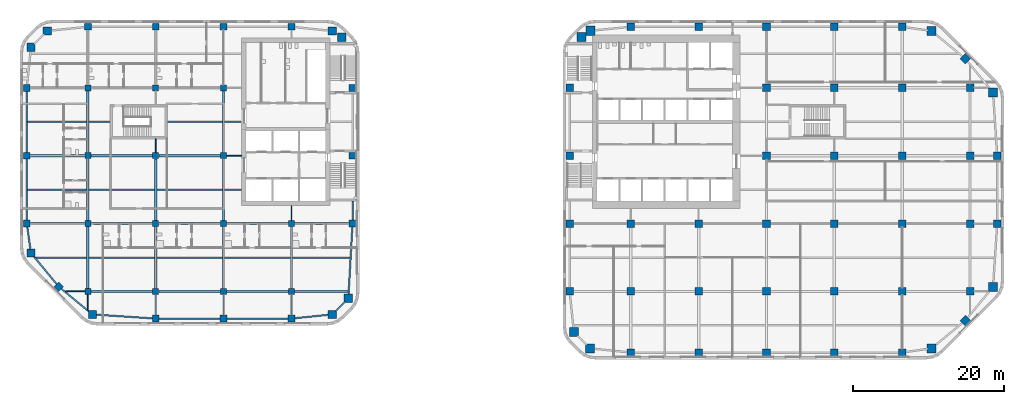
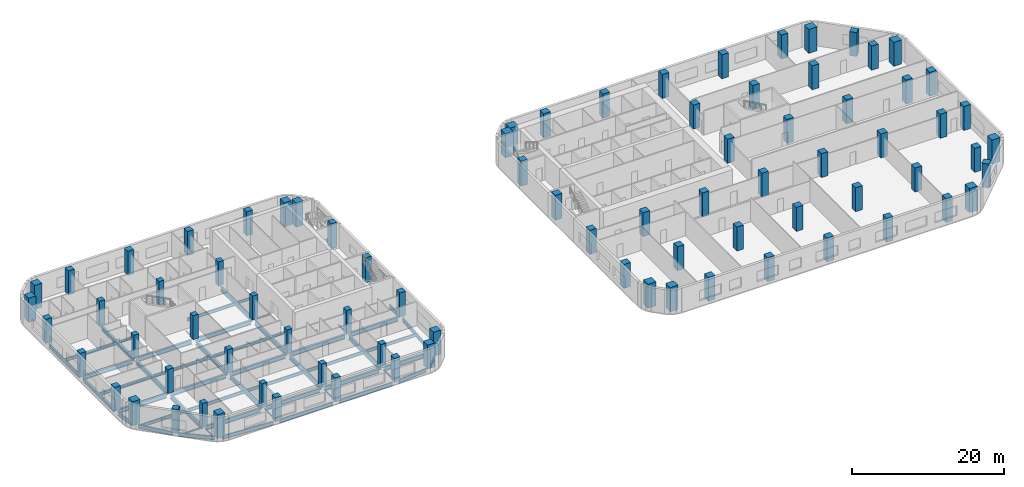
# One storey, part 1 of 16: 82 columns, 54 beams.
"""IFC4 building model written with IfcOpenShell, lengths in metres."""

from ifc_helpers import new_model, si_unit, direction, frame, origin, origin_2d, place, context, subcontext, project, spatial, rectangle, i_section, extrude, material, material_profile, profile_set, type_object, element, save


model = new_model("IFC4")

# Units and contexts
model_context = context("Model", 3, precision=1e-05, world=origin(), true_north=direction((0.0, 1.0)))
body_context = subcontext(model_context, "Body", "Model", "MODEL_VIEW")
ifc_project = project(units=[si_unit("LENGTHUNIT", "METRE"), si_unit("AREAUNIT", "SQUARE_METRE"), si_unit("VOLUMEUNIT", "CUBIC_METRE"), si_unit("PLANEANGLEUNIT", "RADIAN"), si_unit("MASSUNIT", "GRAM", prefix="KILO")], contexts=[model_context])

# Site, building, storey
site_placement = place(None, origin())
site = spatial("IfcSite", under=ifc_project, at=site_placement, CompositionType="ELEMENT")
building_placement = place(site_placement, origin())
building = spatial("IfcBuilding", under=site, at=building_placement, Name="Cinnabar Reach Civic Tower", CompositionType="ELEMENT")
storey_placement = place(building_placement, frame((0.0, 0.0, 30.0)))
storey = spatial("IfcBuildingStorey", under=building, at=storey_placement, Name="L06", CompositionType="ELEMENT", Elevation=30.0)

# Columns
ifc_material_1 = material(Name="Concrete C70", Category="concrete")
ifc_material_profile_1 = material_profile(ifc_material_1, rectangle(XDim=1.0, YDim=1.0, at=origin_2d()), Name="RC1000")
ifc_profile_set_1 = profile_set([ifc_material_profile_1], Name="Concrete C70")
column_type_1 = type_object("IfcColumnType", Name="RC1000 column R 240", PredefinedType="COLUMN", material=ifc_profile_set_1)
for number, where, z_axis, x_axis, name in (
    (1, (9.0, 0.9, 0.0), (0.0, 0.0, 1.0), (1.0, 0.0, 0.0), "Column T1-Z1-F0-1"),
    (2, (18.0, 0.9, 0.0), (0.0, 0.0, 1.0), (1.0, 0.0, 0.0), "Column T1-Z1-F0-2"),
    (3, (27.0, 0.9, 0.0), (0.0, 0.0, 1.0), (1.0, 0.0, 0.0), "Column T1-Z1-F0-3"),
    (4, (36.0, 0.9, 0.0), (0.0, 0.0, 1.0), (1.0, 0.0, 0.0), "Column T1-Z1-F0-4"),
    (5, (45.0, 0.9, 0.0), (0.0, 0.0, 1.0), (1.0, 0.0, 0.0), "Column T1-Z1-F0-5"),
    (6, (53.3636, 5.1364, 0.0), (0.0, 0.0, 1.0), (0.707106781187, 0.707106781187, 0.0), "Column T1-Z1-F1-M"),
    (7, (57.6, 18.0, 0.0), (0.0, 0.0, 1.0), (1.0, 0.0, 0.0), "Column T1-Z1-F2-2"),
    (8, (57.6, 27.0, 0.0), (0.0, 0.0, 1.0), (1.0, 0.0, 0.0), "Column T1-Z1-F2-3"),
    (9, (53.3636, 39.8636, 0.0), (0.0, 0.0, 1.0), (0.707106781187, 0.707106781187, 0.0), "Column T1-Z1-F3-M"),
    (10, (9.0, 44.1, 0.0), (0.0, 0.0, 1.0), (1.0, 0.0, 0.0), "Column T1-Z1-F4-1"),
    (11, (18.0, 44.1, 0.0), (0.0, 0.0, 1.0), (1.0, 0.0, 0.0), "Column T1-Z1-F4-2"),
    (12, (27.0, 44.1, 0.0), (0.0, 0.0, 1.0), (1.0, 0.0, 0.0), "Column T1-Z1-F4-3"),
    (13, (36.0, 44.1, 0.0), (0.0, 0.0, 1.0), (1.0, 0.0, 0.0), "Column T1-Z1-F4-4"),
    (14, (45.0, 44.1, 0.0), (0.0, 0.0, 1.0), (1.0, 0.0, 0.0), "Column T1-Z1-F4-5"),
    (15, (0.9, 9.0, 0.0), (0.0, 0.0, 1.0), (1.0, 0.0, 0.0), "Column T1-Z1-F6-1"),
    (16, (0.9, 18.0, 0.0), (0.0, 0.0, 1.0), (1.0, 0.0, 0.0), "Column T1-Z1-F6-2"),
):
    element("IfcColumn", number, at=place(storey_placement, frame(where, z_axis=z_axis, x_axis=x_axis)), inside=storey, type_object=column_type_1, Name=name, PredefinedType="COLUMN", context=body_context, shape_type="SweptSolid", body=[
        extrude(rectangle(XDim=1.0, YDim=1.0, at=origin_2d()), origin(), (0.0, 0.0, 1.0), 3.85),
    ])
for number, where, z_axis, x_axis, name in (
    (17, (0.9, 27.0, 0.0), (0.0, 0.0, 1.0), (1.0, 0.0, 0.0), "Column T1-Z1-F6-3"),
    (18, (0.9, 36.0, 0.0), (0.0, 0.0, 1.0), (1.0, 0.0, 0.0), "Column T1-Z1-F6-4"),
):
    element("IfcColumn", number, at=place(storey_placement, frame(where, z_axis=z_axis, x_axis=x_axis)), inside=storey, type_object=column_type_1, Name=name, PredefinedType="COLUMN", context=body_context, shape_type="SweptSolid", body=[
        extrude(rectangle(XDim=1.0, YDim=1.0, at=origin_2d()), origin(), (0.0, 0.0, 1.0), 4.0),
    ])
for number, where, z_axis, x_axis, name in (
    (19, (9.0, 9.0, 0.0), (0.0, 0.0, 1.0), (1.0, 0.0, 0.0), "Column T1-Z1-I9_9"),
    (20, (9.0, 18.0, 0.0), (0.0, 0.0, 1.0), (1.0, 0.0, 0.0), "Column T1-Z1-I9_18"),
    (21, (18.0, 9.0, 0.0), (0.0, 0.0, 1.0), (1.0, 0.0, 0.0), "Column T1-Z1-I18_9"),
    (22, (18.0, 18.0, 0.0), (0.0, 0.0, 1.0), (1.0, 0.0, 0.0), "Column T1-Z1-I18_18"),
    (23, (27.0, 9.0, 0.0), (0.0, 0.0, 1.0), (1.0, 0.0, 0.0), "Column T1-Z1-I27_9"),
    (24, (27.0, 18.0, 0.0), (0.0, 0.0, 1.0), (1.0, 0.0, 0.0), "Column T1-Z1-I27_18"),
    (25, (27.0, 27.0, 0.0), (0.0, 0.0, 1.0), (1.0, 0.0, 0.0), "Column T1-Z1-I27_27"),
    (26, (27.0, 36.0, 0.0), (0.0, 0.0, 1.0), (1.0, 0.0, 0.0), "Column T1-Z1-I27_36"),
    (27, (36.0, 9.0, 0.0), (0.0, 0.0, 1.0), (1.0, 0.0, 0.0), "Column T1-Z1-I36_9"),
    (28, (36.0, 18.0, 0.0), (0.0, 0.0, 1.0), (1.0, 0.0, 0.0), "Column T1-Z1-I36_18"),
    (29, (36.0, 27.0, 0.0), (0.0, 0.0, 1.0), (1.0, 0.0, 0.0), "Column T1-Z1-I36_27"),
    (30, (36.0, 36.0, 0.0), (0.0, 0.0, 1.0), (1.0, 0.0, 0.0), "Column T1-Z1-I36_36"),
    (31, (45.0, 9.0, 0.0), (0.0, 0.0, 1.0), (1.0, 0.0, 0.0), "Column T1-Z1-I45_9"),
    (32, (45.0, 18.0, 0.0), (0.0, 0.0, 1.0), (1.0, 0.0, 0.0), "Column T1-Z1-I45_18"),
    (33, (45.0, 27.0, 0.0), (0.0, 0.0, 1.0), (1.0, 0.0, 0.0), "Column T1-Z1-I45_27"),
    (34, (45.0, 36.0, 0.0), (0.0, 0.0, 1.0), (1.0, 0.0, 0.0), "Column T1-Z1-I45_36"),
    (35, (54.0, 9.0, 0.0), (0.0, 0.0, 1.0), (1.0, 0.0, 0.0), "Column T1-Z1-I54_9"),
    (36, (54.0, 18.0, 0.0), (0.0, 0.0, 1.0), (1.0, 0.0, 0.0), "Column T1-Z1-I54_18"),
    (37, (54.0, 27.0, 0.0), (0.0, 0.0, 1.0), (1.0, 0.0, 0.0), "Column T1-Z1-I54_27"),
    (38, (54.0, 36.0, 0.0), (0.0, 0.0, 1.0), (1.0, 0.0, 0.0), "Column T1-Z1-I54_36"),
):
    element("IfcColumn", number, at=place(storey_placement, frame(where, z_axis=z_axis, x_axis=x_axis)), inside=storey, type_object=column_type_1, Name=name, PredefinedType="COLUMN", context=body_context, shape_type="SweptSolid", body=[
        extrude(rectangle(XDim=1.0, YDim=1.0, at=origin_2d()), origin(), (0.0, 0.0, 1.0), 3.85),
    ])
ifc_material_2 = material(Name="Concrete C80", Category="concrete")
ifc_material_profile_2 = material_profile(ifc_material_2, rectangle(XDim=1.1, YDim=1.1, at=origin_2d()), Name="RC1100")
ifc_profile_set_2 = profile_set([ifc_material_profile_2], Name="Concrete C80")
column_type_2 = type_object("IfcColumnType", Name="RC1100 column R 180", PredefinedType="COLUMN", material=ifc_profile_set_2)
for number, where, z_axis, x_axis, name in (
    (39, (-62.3981, 5.9531, 0.0), (0.0, 0.0, 1.0), (1.0, 0.0, 0.0), "Column T2-Z1-CC0"),
    (40, (-30.6019, 5.9531, 0.0), (0.0, 0.0, 1.0), (1.0, 0.0, 0.0), "Column T2-Z1-CC1"),
    (41, (-28.4531, 8.1019, 0.0), (0.0, 0.0, 1.0), (1.0, 0.0, 0.0), "Column T2-Z1-CC2"),
    (42, (-29.3131, 42.7, 0.0), (0.0, 0.0, 1.0), (1.0, 0.0, 0.0), "Column T2-Z1-CC3"),
    (43, (-30.6019, 43.5469, 0.0), (0.0, 0.0, 1.0), (1.0, 0.0, 0.0), "Column T2-Z1-CC4"),
    (44, (-68.3981, 43.5469, 0.0), (0.0, 0.0, 1.0), (1.0, 0.0, 0.0), "Column T2-Z1-CC5"),
    (45, (-70.5469, 41.3981, 0.0), (0.0, 0.0, 1.0), (1.0, 0.0, 0.0), "Column T2-Z1-CC6"),
    (46, (-70.5469, 14.1019, 0.0), (0.0, 0.0, 1.0), (1.0, 0.0, 0.0), "Column T2-Z1-CC7"),
):
    element("IfcColumn", number, at=place(storey_placement, frame(where, z_axis=z_axis, x_axis=x_axis)), inside=storey, type_object=column_type_2, Name=name, PredefinedType="COLUMN", context=body_context, shape_type="SweptSolid", body=[
        extrude(rectangle(XDim=1.1, YDim=1.1, at=origin_2d()), origin(), (0.0, 0.0, 1.0), 3.85),
    ])
ifc_material_profile_3 = material_profile(ifc_material_2, rectangle(XDim=1.2, YDim=1.2, at=origin_2d()), Name="RC1200")
ifc_profile_set_3 = profile_set([ifc_material_profile_3], Name="Concrete C80")
column_type_3 = type_object("IfcColumnType", Name="RC1200 column R 240", PredefinedType="COLUMN", material=ifc_profile_set_3)
for number, where, z_axis, x_axis, name in (
    (47, (3.6019, 1.4531, 0.0), (0.0, 0.0, 1.0), (1.0, 0.0, 0.0), "Column T1-Z1-CC0"),
    (48, (48.8981, 1.4531, 0.0), (0.0, 0.0, 1.0), (1.0, 0.0, 0.0), "Column T1-Z1-CC1"),
    (49, (57.0469, 9.6019, 0.0), (0.0, 0.0, 1.0), (1.0, 0.0, 0.0), "Column T1-Z1-CC2"),
    (50, (57.0469, 35.3981, 0.0), (0.0, 0.0, 1.0), (1.0, 0.0, 0.0), "Column T1-Z1-CC3"),
    (51, (48.8981, 43.5469, 0.0), (0.0, 0.0, 1.0), (1.0, 0.0, 0.0), "Column T1-Z1-CC4"),
    (52, (3.6666, 43.5737, 0.0), (0.0, 0.0, 1.0), (1.0, 0.0, 0.0), "Column T1-Z1-CC5"),
    (53, (2.4631, 42.75, 0.0), (0.0, 0.0, 1.0), (1.0, 0.0, 0.0), "Column T1-Z1-CC6"),
    (54, (1.4531, 3.6019, 0.0), (0.0, 0.0, 1.0), (1.0, 0.0, 0.0), "Column T1-Z1-CC7"),
):
    element("IfcColumn", number, at=place(storey_placement, frame(where, z_axis=z_axis, x_axis=x_axis)), inside=storey, type_object=column_type_3, Name=name, PredefinedType="COLUMN", context=body_context, shape_type="SweptSolid", body=[
        extrude(rectangle(XDim=1.2, YDim=1.2, at=origin_2d()), origin(), (0.0, 0.0, 1.0), 3.85),
    ])
ifc_material_3 = material(Name="Concrete C60", Category="concrete")
ifc_material_profile_4 = material_profile(ifc_material_3, rectangle(XDim=0.8, YDim=0.8, at=origin_2d()), Name="RC800")
ifc_profile_set_4 = profile_set([ifc_material_profile_4], Name="Concrete C60")
column_type_4 = type_object("IfcColumnType", Name="RC800 column R 180", PredefinedType="COLUMN", material=ifc_profile_set_4)
for number, where, z_axis, x_axis, name in (
    (55, (-63.0, 9.0, 0.0), (0.0, 0.0, 1.0), (1.0, 0.0, 0.0), "Column T2-Z1-I-63_9"),
    (56, (-63.0, 18.0, 0.0), (0.0, 0.0, 1.0), (1.0, 0.0, 0.0), "Column T2-Z1-I-63_18"),
    (57, (-63.0, 27.0, 0.0), (0.0, 0.0, 1.0), (1.0, 0.0, 0.0), "Column T2-Z1-I-63_27"),
    (58, (-63.0, 36.0, 0.0), (0.0, 0.0, 1.0), (1.0, 0.0, 0.0), "Column T2-Z1-I-63_36"),
    (59, (-54.0, 9.0, 0.0), (0.0, 0.0, 1.0), (1.0, 0.0, 0.0), "Column T2-Z1-I-54_9"),
    (60, (-54.0, 18.0, 0.0), (0.0, 0.0, 1.0), (1.0, 0.0, 0.0), "Column T2-Z1-I-54_18"),
    (61, (-54.0, 27.0, 0.0), (0.0, 0.0, 1.0), (1.0, 0.0, 0.0), "Column T2-Z1-I-54_27"),
    (62, (-54.0, 36.0, 0.0), (0.0, 0.0, 1.0), (1.0, 0.0, 0.0), "Column T2-Z1-I-54_36"),
    (63, (-45.0, 9.0, 0.0), (0.0, 0.0, 1.0), (1.0, 0.0, 0.0), "Column T2-Z1-I-45_9"),
    (64, (-45.0, 18.0, 0.0), (0.0, 0.0, 1.0), (1.0, 0.0, 0.0), "Column T2-Z1-I-45_18"),
    (65, (-45.0, 27.0, 0.0), (0.0, 0.0, 1.0), (1.0, 0.0, 0.0), "Column T2-Z1-I-45_27"),
    (66, (-45.0, 36.0, 0.0), (0.0, 0.0, 1.0), (1.0, 0.0, 0.0), "Column T2-Z1-I-45_36"),
    (67, (-36.0, 9.0, 0.0), (0.0, 0.0, 1.0), (1.0, 0.0, 0.0), "Column T2-Z1-I-36_9"),
    (68, (-36.0, 18.0, 0.0), (0.0, 0.0, 1.0), (1.0, 0.0, 0.0), "Column T2-Z1-I-36_18"),
):
    element("IfcColumn", number, at=place(storey_placement, frame(where, z_axis=z_axis, x_axis=x_axis)), inside=storey, type_object=column_type_4, Name=name, PredefinedType="COLUMN", context=body_context, shape_type="SweptSolid", body=[
        extrude(rectangle(XDim=0.8, YDim=0.8, at=origin_2d()), origin(), (0.0, 0.0, 1.0), 3.85),
    ])
ifc_material_profile_5 = material_profile(ifc_material_1, rectangle(XDim=0.9, YDim=0.9, at=origin_2d()), Name="RC900")
ifc_profile_set_5 = profile_set([ifc_material_profile_5], Name="Concrete C70")
column_type_5 = type_object("IfcColumnType", Name="RC900 column R 180", PredefinedType="COLUMN", material=ifc_profile_set_5)
for number, where, z_axis, x_axis, name in (
    (69, (-54.0, 5.4, 0.0), (0.0, 0.0, 1.0), (1.0, 0.0, 0.0), "Column T2-Z1-F0--6"),
    (70, (-45.0, 5.4, 0.0), (0.0, 0.0, 1.0), (1.0, 0.0, 0.0), "Column T2-Z1-F0--5"),
    (71, (-36.0, 5.4, 0.0), (0.0, 0.0, 1.0), (1.0, 0.0, 0.0), "Column T2-Z1-F0--4"),
    (72, (-27.9, 18.0, 0.0), (0.0, 0.0, 1.0), (1.0, 0.0, 0.0), "Column T2-Z1-F2-2"),
):
    element("IfcColumn", number, at=place(storey_placement, frame(where, z_axis=z_axis, x_axis=x_axis)), inside=storey, type_object=column_type_5, Name=name, PredefinedType="COLUMN", context=body_context, shape_type="SweptSolid", body=[
        extrude(rectangle(XDim=0.9, YDim=0.9, at=origin_2d()), origin(), (0.0, 0.0, 1.0), 3.85),
    ])
for number, where, z_axis, x_axis, name in (
    (73, (-27.9, 27.0, 0.0), (0.0, 0.0, 1.0), (1.0, 0.0, 0.0), "Column T2-Z1-F2-3"),
    (74, (-27.9, 36.0, 0.0), (0.0, 0.0, 1.0), (1.0, 0.0, 0.0), "Column T2-Z1-F2-4"),
):
    element("IfcColumn", number, at=place(storey_placement, frame(where, z_axis=z_axis, x_axis=x_axis)), inside=storey, type_object=column_type_5, Name=name, PredefinedType="COLUMN", context=body_context, shape_type="SweptSolid", body=[
        extrude(rectangle(XDim=0.9, YDim=0.9, at=origin_2d()), origin(), (0.0, 0.0, 1.0), 4.0),
    ])
for number, where, z_axis, x_axis, name in (
    (75, (-63.0, 44.1, 0.0), (0.0, 0.0, 1.0), (1.0, 0.0, 0.0), "Column T2-Z1-F4--7"),
    (76, (-54.0, 44.1, 0.0), (0.0, 0.0, 1.0), (1.0, 0.0, 0.0), "Column T2-Z1-F4--6"),
    (77, (-45.0, 44.1, 0.0), (0.0, 0.0, 1.0), (1.0, 0.0, 0.0), "Column T2-Z1-F4--5"),
    (78, (-36.0, 44.1, 0.0), (0.0, 0.0, 1.0), (1.0, 0.0, 0.0), "Column T2-Z1-F4--4"),
    (79, (-71.1, 18.0, 0.0), (0.0, 0.0, 1.0), (1.0, 0.0, 0.0), "Column T2-Z1-F6-2"),
    (80, (-71.1, 27.0, 0.0), (0.0, 0.0, 1.0), (1.0, 0.0, 0.0), "Column T2-Z1-F6-3"),
    (81, (-71.1, 36.0, 0.0), (0.0, 0.0, 1.0), (1.0, 0.0, 0.0), "Column T2-Z1-F6-4"),
    (82, (-66.8636, 9.6364, 0.0), (0.0, 0.0, 1.0), (0.707106781187, 0.707106781187, 0.0), "Column T2-Z1-F7-M"),
):
    element("IfcColumn", number, at=place(storey_placement, frame(where, z_axis=z_axis, x_axis=x_axis)), inside=storey, type_object=column_type_5, Name=name, PredefinedType="COLUMN", context=body_context, shape_type="SweptSolid", body=[
        extrude(rectangle(XDim=0.9, YDim=0.9, at=origin_2d()), origin(), (0.0, 0.0, 1.0), 3.85),
    ])

# Beams
ifc_material_4 = material(Name="Steel Q355B", Category="steel")
ifc_material_profile_6 = material_profile(ifc_material_4, i_section(OverallWidth=0.099, OverallDepth=0.198, WebThickness=0.0045, FlangeThickness=0.007, FilletRadius=0.013, at=origin_2d()), Name="HN200x100x5.5x8")
ifc_profile_set_6 = profile_set([ifc_material_profile_6], Name="Steel Q355B")
beam_type_1 = type_object("IfcBeamType", Name="HN200x100x5.5x8 beam R 120", PredefinedType="BEAM", material=ifc_profile_set_6)
beam_1_placement = place(storey_placement, frame((-63.0, 6.5818, -0.249), z_axis=(0.0, 1.0, 0.0), x_axis=(-1.0, 0.0, 0.0)))
element("IfcBeam", 83, at=beam_1_placement, inside=storey, type_object=beam_type_1, Name="Girder T2 L06 1", PredefinedType="BEAM", context=body_context, shape_type="SweptSolid", body=[
    extrude(i_section(OverallWidth=0.099, OverallDepth=0.198, WebThickness=0.0045, FlangeThickness=0.007, FilletRadius=0.013, at=origin_2d()), origin(), (0.0, 0.0, 1.0), 2.0162),
])
beam_2_placement = place(storey_placement, frame((-54.0, 5.852, -0.249), z_axis=(0.0, 1.0, 0.0), x_axis=(-1.0, 0.0, 0.0)))
element("IfcBeam", 84, at=beam_2_placement, inside=storey, type_object=beam_type_1, Name="Girder T2 L06 6", PredefinedType="BEAM", context=body_context, shape_type="SweptSolid", body=[
    extrude(i_section(OverallWidth=0.099, OverallDepth=0.198, WebThickness=0.0045, FlangeThickness=0.007, FilletRadius=0.013, at=origin_2d()), origin(), (0.0, 0.0, 1.0), 2.746),
])
beam_3_placement = place(storey_placement, frame((-54.0, 27.402, -0.249), z_axis=(0.0, 1.0, 0.0), x_axis=(-1.0, 0.0, 0.0)))
element("IfcBeam", 85, at=beam_3_placement, inside=storey, type_object=beam_type_1, Name="Girder T2 L06 9", PredefinedType="BEAM", context=body_context, shape_type="SweptSolid", body=[
    extrude(i_section(OverallWidth=0.099, OverallDepth=0.198, WebThickness=0.0045, FlangeThickness=0.007, FilletRadius=0.013, at=origin_2d()), origin(), (0.0, 0.0, 1.0), 1.846),
])
for number, where, z_axis, x_axis, name in (
    (86, (-45.0, 5.852, -0.249), (0.0, 1.0, 0.0), (-1.0, 0.0, 0.0), "Girder T2 L06 12"),
    (87, (-36.0, 5.852, -0.249), (0.0, 1.0, 0.0), (-1.0, 0.0, 0.0), "Girder T2 L06 17"),
):
    element("IfcBeam", number, at=place(storey_placement, frame(where, z_axis=z_axis, x_axis=x_axis)), inside=storey, type_object=beam_type_1, Name=name, PredefinedType="BEAM", context=body_context, shape_type="SweptSolid", body=[
        extrude(i_section(OverallWidth=0.099, OverallDepth=0.198, WebThickness=0.0045, FlangeThickness=0.007, FilletRadius=0.013, at=origin_2d()), origin(), (0.0, 0.0, 1.0), 2.746),
    ])
beam_4_placement = place(storey_placement, frame((-36.0, 18.402, -0.249), z_axis=(0.0, 1.0, 0.0), x_axis=(-1.0, 0.0, 0.0)))
element("IfcBeam", 88, at=beam_4_placement, inside=storey, type_object=beam_type_1, Name="Girder T2 L06 19", PredefinedType="BEAM", context=body_context, shape_type="SweptSolid", body=[
    extrude(i_section(OverallWidth=0.099, OverallDepth=0.198, WebThickness=0.0045, FlangeThickness=0.007, FilletRadius=0.013, at=origin_2d()), origin(), (0.0, 0.0, 1.0), 1.996),
])
ifc_material_profile_7 = material_profile(ifc_material_4, i_section(OverallWidth=0.124, OverallDepth=0.248, WebThickness=0.005, FlangeThickness=0.008, FilletRadius=0.013, at=origin_2d()), Name="HN250x125x6x9")
ifc_profile_set_7 = profile_set([ifc_material_profile_7], Name="Steel Q355B")
beam_type_2 = type_object("IfcBeamType", Name="HN250x125x6x9 beam R 120", PredefinedType="BEAM", material=ifc_profile_set_7)
beam_5_placement = place(storey_placement, frame((-65.9318, 9.0, -0.274), z_axis=(1.0, 0.0, 0.0), x_axis=(0.0, 1.0, 0.0)))
element("IfcBeam", 89, at=beam_5_placement, inside=storey, type_object=beam_type_2, Name="Girder T2 L06 1", PredefinedType="BEAM", context=body_context, shape_type="SweptSolid", body=[
    extrude(i_section(OverallWidth=0.124, OverallDepth=0.248, WebThickness=0.005, FlangeThickness=0.008, FilletRadius=0.013, at=origin_2d()), origin(), (0.0, 0.0, 1.0), 2.5298),
])
beam_6_placement = place(storey_placement, frame((-44.598, 27.0, -0.274), z_axis=(1.0, 0.0, 0.0), x_axis=(0.0, 1.0, 0.0)))
element("IfcBeam", 90, at=beam_6_placement, inside=storey, type_object=beam_type_2, Name="Girder T2 L06 14", PredefinedType="BEAM", context=body_context, shape_type="SweptSolid", body=[
    extrude(i_section(OverallWidth=0.124, OverallDepth=0.248, WebThickness=0.005, FlangeThickness=0.008, FilletRadius=0.013, at=origin_2d()), origin(), (0.0, 0.0, 1.0), 1.996),
])
ifc_material_profile_8 = material_profile(ifc_material_4, i_section(OverallWidth=0.2, OverallDepth=0.4, WebThickness=0.008, FlangeThickness=0.013, FilletRadius=0.016, at=origin_2d()), Name="HN400x200x8x13")
ifc_profile_set_8 = profile_set([ifc_material_profile_8], Name="Steel Q355B")
beam_type_3 = type_object("IfcBeamType", Name="HN400x200x8x13 beam R 120", PredefinedType="BEAM", material=ifc_profile_set_8)
beam_7_placement = place(storey_placement, frame((-44.848, 22.5, -0.35), z_axis=(1.0, 0.0, 0.0), x_axis=(0.0, 1.0, 0.0)))
element("IfcBeam", 91, at=beam_7_placement, inside=storey, type_object=beam_type_3, Name="Secondary beam T2 L06 9", PredefinedType="BEAM", context=body_context, shape_type="SweptSolid", body=[
    extrude(i_section(OverallWidth=0.2, OverallDepth=0.4, WebThickness=0.008, FlangeThickness=0.013, FilletRadius=0.016, at=origin_2d()), origin(), (0.0, 0.0, 1.0), 2.246),
])
beam_8_placement = place(storey_placement, frame((-62.848, 31.5, -0.35), z_axis=(1.0, 0.0, 0.0), x_axis=(0.0, 1.0, 0.0)))
element("IfcBeam", 92, at=beam_8_placement, inside=storey, type_object=beam_type_3, Name="Secondary beam T2 L06 11", PredefinedType="BEAM", context=body_context, shape_type="SweptSolid", body=[
    extrude(i_section(OverallWidth=0.2, OverallDepth=0.4, WebThickness=0.008, FlangeThickness=0.013, FilletRadius=0.016, at=origin_2d()), origin(), (0.0, 0.0, 1.0), 2.846),
])
beam_9_placement = place(storey_placement, frame((-44.848, 31.5, -0.35), z_axis=(1.0, 0.0, 0.0), x_axis=(0.0, 1.0, 0.0)))
element("IfcBeam", 93, at=beam_9_placement, inside=storey, type_object=beam_type_3, Name="Secondary beam T2 L06 13", PredefinedType="BEAM", context=body_context, shape_type="SweptSolid", body=[
    extrude(i_section(OverallWidth=0.2, OverallDepth=0.4, WebThickness=0.008, FlangeThickness=0.013, FilletRadius=0.016, at=origin_2d()), origin(), (0.0, 0.0, 1.0), 2.246),
])
ifc_material_profile_9 = material_profile(ifc_material_4, i_section(OverallWidth=0.2, OverallDepth=0.5, WebThickness=0.01, FlangeThickness=0.016, FilletRadius=0.016, at=origin_2d()), Name="HN500x200x10x16")
ifc_profile_set_9 = profile_set([ifc_material_profile_9], Name="Steel Q355B")
beam_type_4 = type_object("IfcBeamType", Name="HN500x200x10x16 beam R 120", PredefinedType="BEAM", material=ifc_profile_set_9)
beam_10_placement = place(storey_placement, frame((-69.9182, 13.5, -0.4), z_axis=(1.0, 0.0, 0.0), x_axis=(0.0, 1.0, 0.0)))
element("IfcBeam", 94, at=beam_10_placement, inside=storey, type_object=beam_type_4, Name="Secondary beam T2 L06 1", PredefinedType="BEAM", context=body_context, shape_type="SweptSolid", body=[
    extrude(i_section(OverallWidth=0.2, OverallDepth=0.5, WebThickness=0.01, FlangeThickness=0.016, FilletRadius=0.016, at=origin_2d()), origin(), (0.0, 0.0, 1.0), 6.7662),
])
for number, where, z_axis, x_axis, name in (
    (95, (-62.848, 13.5, -0.4), (1.0, 0.0, 0.0), (0.0, 1.0, 0.0), "Secondary beam T2 L06 2"),
    (96, (-53.848, 13.5, -0.4), (1.0, 0.0, 0.0), (0.0, 1.0, 0.0), "Secondary beam T2 L06 3"),
    (97, (-44.848, 13.5, -0.4), (1.0, 0.0, 0.0), (0.0, 1.0, 0.0), "Secondary beam T2 L06 4"),
):
    element("IfcBeam", number, at=place(storey_placement, frame(where, z_axis=z_axis, x_axis=x_axis)), inside=storey, type_object=beam_type_4, Name=name, PredefinedType="BEAM", context=body_context, shape_type="SweptSolid", body=[
        extrude(i_section(OverallWidth=0.2, OverallDepth=0.5, WebThickness=0.01, FlangeThickness=0.016, FilletRadius=0.016, at=origin_2d()), origin(), (0.0, 0.0, 1.0), 8.696),
    ])
beam_11_placement = place(storey_placement, frame((-35.848, 13.5, -0.4), z_axis=(1.0, 0.0, 0.0), x_axis=(0.0, 1.0, 0.0)))
element("IfcBeam", 98, at=beam_11_placement, inside=storey, type_object=beam_type_4, Name="Secondary beam T2 L06 5", PredefinedType="BEAM", context=body_context, shape_type="SweptSolid", body=[
    extrude(i_section(OverallWidth=0.2, OverallDepth=0.5, WebThickness=0.01, FlangeThickness=0.016, FilletRadius=0.016, at=origin_2d()), origin(), (0.0, 0.0, 1.0), 7.5944),
])
beam_12_placement = place(storey_placement, frame((-70.998, 22.5, -0.4), z_axis=(1.0, 0.0, 0.0), x_axis=(0.0, 1.0, 0.0)))
element("IfcBeam", 99, at=beam_12_placement, inside=storey, type_object=beam_type_4, Name="Secondary beam T2 L06 6", PredefinedType="BEAM", context=body_context, shape_type="SweptSolid", body=[
    extrude(i_section(OverallWidth=0.2, OverallDepth=0.5, WebThickness=0.01, FlangeThickness=0.016, FilletRadius=0.016, at=origin_2d()), origin(), (0.0, 0.0, 1.0), 7.846),
])
for number, where, z_axis, x_axis, name in (
    (100, (-62.848, 22.5, -0.4), (1.0, 0.0, 0.0), (0.0, 1.0, 0.0), "Secondary beam T2 L06 7"),
    (101, (-53.848, 22.5, -0.4), (1.0, 0.0, 0.0), (0.0, 1.0, 0.0), "Secondary beam T2 L06 8"),
):
    element("IfcBeam", number, at=place(storey_placement, frame(where, z_axis=z_axis, x_axis=x_axis)), inside=storey, type_object=beam_type_4, Name=name, PredefinedType="BEAM", context=body_context, shape_type="SweptSolid", body=[
        extrude(i_section(OverallWidth=0.2, OverallDepth=0.5, WebThickness=0.01, FlangeThickness=0.016, FilletRadius=0.016, at=origin_2d()), origin(), (0.0, 0.0, 1.0), 8.696),
    ])
beam_13_placement = place(storey_placement, frame((-70.998, 31.5, -0.4), z_axis=(1.0, 0.0, 0.0), x_axis=(0.0, 1.0, 0.0)))
element("IfcBeam", 102, at=beam_13_placement, inside=storey, type_object=beam_type_4, Name="Secondary beam T2 L06 10", PredefinedType="BEAM", context=body_context, shape_type="SweptSolid", body=[
    extrude(i_section(OverallWidth=0.2, OverallDepth=0.5, WebThickness=0.01, FlangeThickness=0.016, FilletRadius=0.016, at=origin_2d()), origin(), (0.0, 0.0, 1.0), 7.846),
])
beam_14_placement = place(storey_placement, frame((-52.498, 31.5, -0.4), z_axis=(1.0, 0.0, 0.0), x_axis=(0.0, 1.0, 0.0)))
element("IfcBeam", 103, at=beam_14_placement, inside=storey, type_object=beam_type_4, Name="Secondary beam T2 L06 12", PredefinedType="BEAM", context=body_context, shape_type="SweptSolid", body=[
    extrude(i_section(OverallWidth=0.2, OverallDepth=0.5, WebThickness=0.01, FlangeThickness=0.016, FilletRadius=0.016, at=origin_2d()), origin(), (0.0, 0.0, 1.0), 7.346),
])
ifc_material_profile_10 = material_profile(ifc_material_4, i_section(OverallWidth=0.2, OverallDepth=0.6, WebThickness=0.011, FlangeThickness=0.017, FilletRadius=0.016, at=origin_2d()), Name="HN600x200x11x17")
ifc_profile_set_10 = profile_set([ifc_material_profile_10], Name="Steel Q355B")
beam_type_5 = type_object("IfcBeamType", Name="HN600x200x11x17 beam R 120", PredefinedType="BEAM", material=ifc_profile_set_10)
beam_15_placement = place(storey_placement, frame((-61.9661, 5.9246, -0.45), z_axis=(0.99783894477, -0.065707231721, 0.0), x_axis=(0.065707231721, 0.99783894477, 0.0)))
element("IfcBeam", 104, at=beam_15_placement, inside=storey, type_object=beam_type_5, Name="Edge beam T2 L06 1", PredefinedType="BEAM", context=body_context, shape_type="SweptSolid", body=[
    extrude(i_section(OverallWidth=0.2, OverallDepth=0.6, WebThickness=0.011, FlangeThickness=0.017, FilletRadius=0.016, at=origin_2d()), origin(), (0.0, 0.0, 1.0), 7.5304),
])
for number, where, z_axis, x_axis, name in (
    (105, (-53.548, 5.4, -0.45), (1.0, 0.0, 0.0), (0.0, 1.0, 0.0), "Edge beam T2 L06 2"),
    (106, (-44.548, 5.4, -0.45), (1.0, 0.0, 0.0), (0.0, 1.0, 0.0), "Edge beam T2 L06 3"),
):
    element("IfcBeam", number, at=place(storey_placement, frame(where, z_axis=z_axis, x_axis=x_axis)), inside=storey, type_object=beam_type_5, Name=name, PredefinedType="BEAM", context=body_context, shape_type="SweptSolid", body=[
        extrude(i_section(OverallWidth=0.2, OverallDepth=0.6, WebThickness=0.011, FlangeThickness=0.017, FilletRadius=0.016, at=origin_2d()), origin(), (0.0, 0.0, 1.0), 8.096),
    ])
beam_16_placement = place(storey_placement, frame((-35.548, 5.4463, -0.45), z_axis=(0.994792272495, 0.101923179821, 0.0), x_axis=(-0.101923179821, 0.994792272495, 0.0)))
element("IfcBeam", 107, at=beam_16_placement, inside=storey, type_object=beam_type_5, Name="Edge beam T2 L06 4", PredefinedType="BEAM", context=body_context, shape_type="SweptSolid", body=[
    extrude(i_section(OverallWidth=0.2, OverallDepth=0.6, WebThickness=0.011, FlangeThickness=0.017, FilletRadius=0.016, at=origin_2d()), origin(), (0.0, 0.0, 1.0), 4.5377),
])
beam_17_placement = place(storey_placement, frame((-30.1699, 6.3851, -0.45), z_axis=(0.707106781187, 0.707106781187, 0.0), x_axis=(-0.707106781187, 0.707106781187, 0.0)))
element("IfcBeam", 108, at=beam_17_placement, inside=storey, type_object=beam_type_5, Name="Edge beam T2 L06 5", PredefinedType="BEAM", context=body_context, shape_type="SweptSolid", body=[
    extrude(i_section(OverallWidth=0.2, OverallDepth=0.6, WebThickness=0.011, FlangeThickness=0.017, FilletRadius=0.016, at=origin_2d()), origin(), (0.0, 0.0, 1.0), 1.817),
])
beam_18_placement = place(storey_placement, frame((-28.429, 8.5339, -0.45), z_axis=(0.055792085863, 0.998442408532, 0.0), x_axis=(-0.998442408532, 0.055792085863, 0.0)))
element("IfcBeam", 109, at=beam_18_placement, inside=storey, type_object=beam_type_5, Name="Edge beam T2 L06 6", PredefinedType="BEAM", context=body_context, shape_type="SweptSolid", body=[
    extrude(i_section(OverallWidth=0.2, OverallDepth=0.6, WebThickness=0.011, FlangeThickness=0.017, FilletRadius=0.016, at=origin_2d()), origin(), (0.0, 0.0, 1.0), 9.0282),
])
beam_19_placement = place(storey_placement, frame((-27.9, 18.452, -0.45), z_axis=(0.0, 1.0, 0.0), x_axis=(-1.0, 0.0, 0.0)))
element("IfcBeam", 110, at=beam_19_placement, inside=storey, type_object=beam_type_5, Name="Edge beam T2 L06 7", PredefinedType="BEAM", context=body_context, shape_type="SweptSolid", body=[
    extrude(i_section(OverallWidth=0.2, OverallDepth=0.6, WebThickness=0.011, FlangeThickness=0.017, FilletRadius=0.016, at=origin_2d()), origin(), (0.0, 0.0, 1.0), 2.546),
])
for number, where, z_axis, x_axis, name in (
    (111, (-71.1, 35.548, -0.45), (0.0, -1.0, 0.0), (1.0, 0.0, 0.0), "Edge beam T2 L06 16"),
    (112, (-71.1, 26.548, -0.45), (0.0, -1.0, 0.0), (1.0, 0.0, 0.0), "Edge beam T2 L06 17"),
):
    element("IfcBeam", number, at=place(storey_placement, frame(where, z_axis=z_axis, x_axis=x_axis)), inside=storey, type_object=beam_type_5, Name=name, PredefinedType="BEAM", context=body_context, shape_type="SweptSolid", body=[
        extrude(i_section(OverallWidth=0.2, OverallDepth=0.6, WebThickness=0.011, FlangeThickness=0.017, FilletRadius=0.016, at=origin_2d()), origin(), (0.0, 0.0, 1.0), 8.096),
    ])
beam_20_placement = place(storey_placement, frame((-71.0359, 17.548, -0.45), z_axis=(0.140492342965, -0.990081765092, 0.0), x_axis=(0.990081765092, 0.140492342965, 0.0)))
element("IfcBeam", 113, at=beam_20_placement, inside=storey, type_object=beam_type_5, Name="Edge beam T2 L06 18", PredefinedType="BEAM", context=body_context, shape_type="SweptSolid", body=[
    extrude(i_section(OverallWidth=0.2, OverallDepth=0.6, WebThickness=0.011, FlangeThickness=0.017, FilletRadius=0.016, at=origin_2d()), origin(), (0.0, 0.0, 1.0), 3.0443),
])
for number, where, z_axis, x_axis, name in (
    (114, (-70.1906, 13.6699, -0.45), (0.63630880182, -0.771434448755, 0.0), (0.771434448755, 0.63630880182, 0.0), "Edge beam T2 L06 19"),
    (115, (-66.5598, 9.3858, -0.45), (0.771434448755, -0.63630880182, 0.0), (0.63630880182, 0.771434448755, 0.0), "Edge beam T2 L06 20"),
):
    element("IfcBeam", number, at=place(storey_placement, frame(where, z_axis=z_axis, x_axis=x_axis)), inside=storey, type_object=beam_type_5, Name=name, PredefinedType="BEAM", context=body_context, shape_type="SweptSolid", body=[
        extrude(i_section(OverallWidth=0.2, OverallDepth=0.6, WebThickness=0.011, FlangeThickness=0.017, FilletRadius=0.016, at=origin_2d()), origin(), (0.0, 0.0, 1.0), 4.8348),
    ])
ifc_material_profile_11 = material_profile(ifc_material_4, i_section(OverallWidth=0.3, OverallDepth=0.692, WebThickness=0.013, FlangeThickness=0.02, FilletRadius=0.016, at=origin_2d()), Name="HN692x300x13x20")
ifc_profile_set_11 = profile_set([ifc_material_profile_11], Name="Steel Q355B")
beam_type_6 = type_object("IfcBeamType", Name="HN692x300x13x20 beam R 120", PredefinedType="BEAM", material=ifc_profile_set_11)
for number, where, z_axis, x_axis, name in (
    (116, (-63.0, 9.402, -0.496), (0.0, 1.0, 0.0), (-1.0, 0.0, 0.0), "Girder T2 L06 2"),
    (117, (-63.0, 18.402, -0.496), (0.0, 1.0, 0.0), (-1.0, 0.0, 0.0), "Girder T2 L06 3"),
    (118, (-63.0, 27.402, -0.496), (0.0, 1.0, 0.0), (-1.0, 0.0, 0.0), "Girder T2 L06 4"),
    (119, (-54.0, 9.402, -0.496), (0.0, 1.0, 0.0), (-1.0, 0.0, 0.0), "Girder T2 L06 7"),
    (120, (-54.0, 18.402, -0.496), (0.0, 1.0, 0.0), (-1.0, 0.0, 0.0), "Girder T2 L06 8"),
    (121, (-45.0, 9.402, -0.496), (0.0, 1.0, 0.0), (-1.0, 0.0, 0.0), "Girder T2 L06 13"),
    (122, (-45.0, 18.402, -0.496), (0.0, 1.0, 0.0), (-1.0, 0.0, 0.0), "Girder T2 L06 14"),
    (123, (-45.0, 27.402, -0.496), (0.0, 1.0, 0.0), (-1.0, 0.0, 0.0), "Girder T2 L06 15"),
    (124, (-36.0, 9.402, -0.496), (0.0, 1.0, 0.0), (-1.0, 0.0, 0.0), "Girder T2 L06 18"),
):
    element("IfcBeam", number, at=place(storey_placement, frame(where, z_axis=z_axis, x_axis=x_axis)), inside=storey, type_object=beam_type_6, Name=name, PredefinedType="BEAM", context=body_context, shape_type="SweptSolid", body=[
        extrude(i_section(OverallWidth=0.3, OverallDepth=0.692, WebThickness=0.013, FlangeThickness=0.02, FilletRadius=0.016, at=origin_2d()), origin(), (0.0, 0.0, 1.0), 8.196),
    ])
ifc_material_profile_12 = material_profile(ifc_material_4, i_section(OverallWidth=0.3, OverallDepth=0.7, WebThickness=0.013, FlangeThickness=0.024, FilletRadius=0.02, at=origin_2d()), Name="HN700x300x13x24")
ifc_profile_set_12 = profile_set([ifc_material_profile_12], Name="Steel Q355B")
beam_type_7 = type_object("IfcBeamType", Name="HN700x300x13x24 beam R 120", PredefinedType="BEAM", material=ifc_profile_set_12)
for number, where, z_axis, x_axis, name in (
    (125, (-62.598, 9.0, -0.5), (1.0, 0.0, 0.0), (0.0, 1.0, 0.0), "Girder T2 L06 2"),
    (126, (-53.598, 9.0, -0.5), (1.0, 0.0, 0.0), (0.0, 1.0, 0.0), "Girder T2 L06 3"),
    (127, (-44.598, 9.0, -0.5), (1.0, 0.0, 0.0), (0.0, 1.0, 0.0), "Girder T2 L06 4"),
):
    element("IfcBeam", number, at=place(storey_placement, frame(where, z_axis=z_axis, x_axis=x_axis)), inside=storey, type_object=beam_type_7, Name=name, PredefinedType="BEAM", context=body_context, shape_type="SweptSolid", body=[
        extrude(i_section(OverallWidth=0.3, OverallDepth=0.7, WebThickness=0.013, FlangeThickness=0.024, FilletRadius=0.02, at=origin_2d()), origin(), (0.0, 0.0, 1.0), 8.196),
    ])
beam_21_placement = place(storey_placement, frame((-35.598, 9.0, -0.5), z_axis=(1.0, 0.0, 0.0), x_axis=(0.0, 1.0, 0.0)))
element("IfcBeam", 128, at=beam_21_placement, inside=storey, type_object=beam_type_7, Name="Girder T2 L06 5", PredefinedType="BEAM", context=body_context, shape_type="SweptSolid", body=[
    extrude(i_section(OverallWidth=0.3, OverallDepth=0.7, WebThickness=0.013, FlangeThickness=0.024, FilletRadius=0.02, at=origin_2d()), origin(), (0.0, 0.0, 1.0), 7.0929),
])
beam_22_placement = place(storey_placement, frame((-70.648, 18.0, -0.5), z_axis=(1.0, 0.0, 0.0), x_axis=(0.0, 1.0, 0.0)))
element("IfcBeam", 129, at=beam_22_placement, inside=storey, type_object=beam_type_7, Name="Girder T2 L06 6", PredefinedType="BEAM", context=body_context, shape_type="SweptSolid", body=[
    extrude(i_section(OverallWidth=0.3, OverallDepth=0.7, WebThickness=0.013, FlangeThickness=0.024, FilletRadius=0.02, at=origin_2d()), origin(), (0.0, 0.0, 1.0), 7.246),
])
for number, where, z_axis, x_axis, name in (
    (130, (-62.598, 18.0, -0.5), (1.0, 0.0, 0.0), (0.0, 1.0, 0.0), "Girder T2 L06 7"),
    (131, (-53.598, 18.0, -0.5), (1.0, 0.0, 0.0), (0.0, 1.0, 0.0), "Girder T2 L06 8"),
    (132, (-44.598, 18.0, -0.5), (1.0, 0.0, 0.0), (0.0, 1.0, 0.0), "Girder T2 L06 9"),
):
    element("IfcBeam", number, at=place(storey_placement, frame(where, z_axis=z_axis, x_axis=x_axis)), inside=storey, type_object=beam_type_7, Name=name, PredefinedType="BEAM", context=body_context, shape_type="SweptSolid", body=[
        extrude(i_section(OverallWidth=0.3, OverallDepth=0.7, WebThickness=0.013, FlangeThickness=0.024, FilletRadius=0.02, at=origin_2d()), origin(), (0.0, 0.0, 1.0), 8.196),
    ])
for number, where, z_axis, x_axis, name in (
    (133, (-35.598, 18.0, -0.5), (1.0, 0.0, 0.0), (0.0, 1.0, 0.0), "Girder T2 L06 10"),
    (134, (-70.648, 27.0, -0.5), (1.0, 0.0, 0.0), (0.0, 1.0, 0.0), "Girder T2 L06 11"),
):
    element("IfcBeam", number, at=place(storey_placement, frame(where, z_axis=z_axis, x_axis=x_axis)), inside=storey, type_object=beam_type_7, Name=name, PredefinedType="BEAM", context=body_context, shape_type="SweptSolid", body=[
        extrude(i_section(OverallWidth=0.3, OverallDepth=0.7, WebThickness=0.013, FlangeThickness=0.024, FilletRadius=0.02, at=origin_2d()), origin(), (0.0, 0.0, 1.0), 7.246),
    ])
for number, where, z_axis, x_axis, name in (
    (135, (-62.598, 27.0, -0.5), (1.0, 0.0, 0.0), (0.0, 1.0, 0.0), "Girder T2 L06 12"),
    (136, (-53.598, 27.0, -0.5), (1.0, 0.0, 0.0), (0.0, 1.0, 0.0), "Girder T2 L06 13"),
):
    element("IfcBeam", number, at=place(storey_placement, frame(where, z_axis=z_axis, x_axis=x_axis)), inside=storey, type_object=beam_type_7, Name=name, PredefinedType="BEAM", context=body_context, shape_type="SweptSolid", body=[
        extrude(i_section(OverallWidth=0.3, OverallDepth=0.7, WebThickness=0.013, FlangeThickness=0.024, FilletRadius=0.02, at=origin_2d()), origin(), (0.0, 0.0, 1.0), 8.196),
    ])

save(model, "model.ifc")
